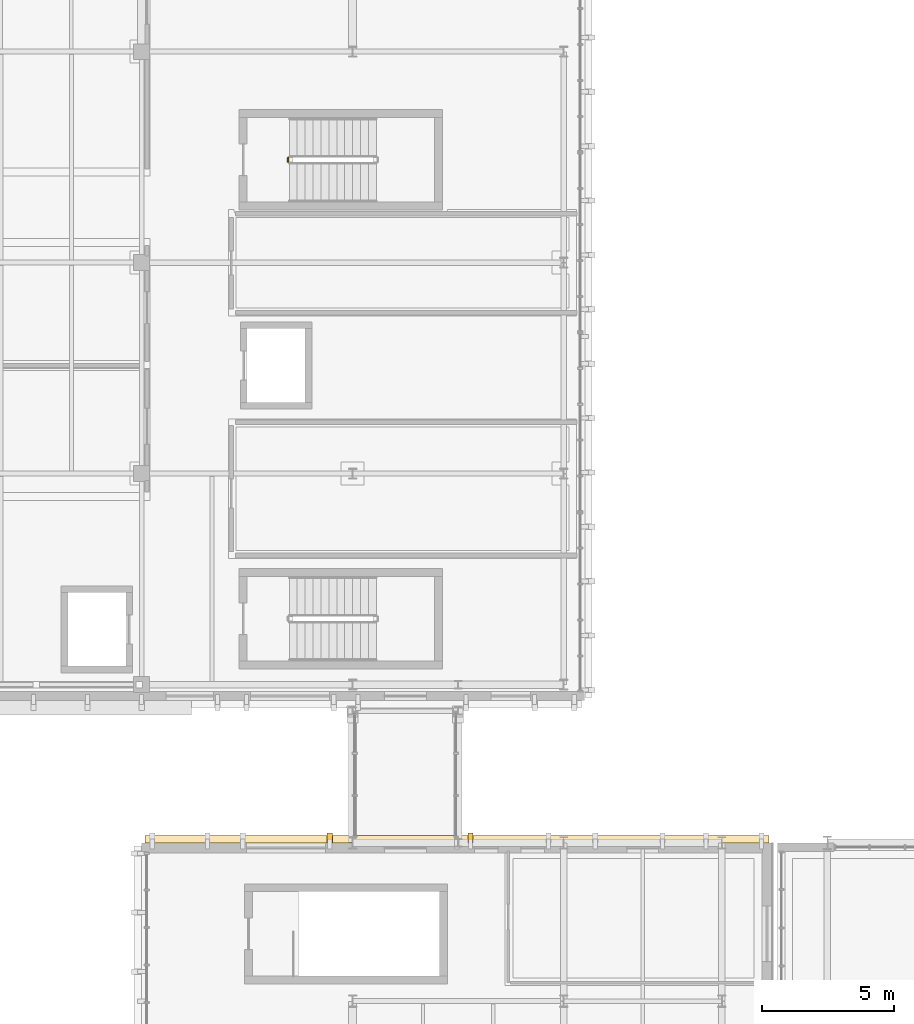
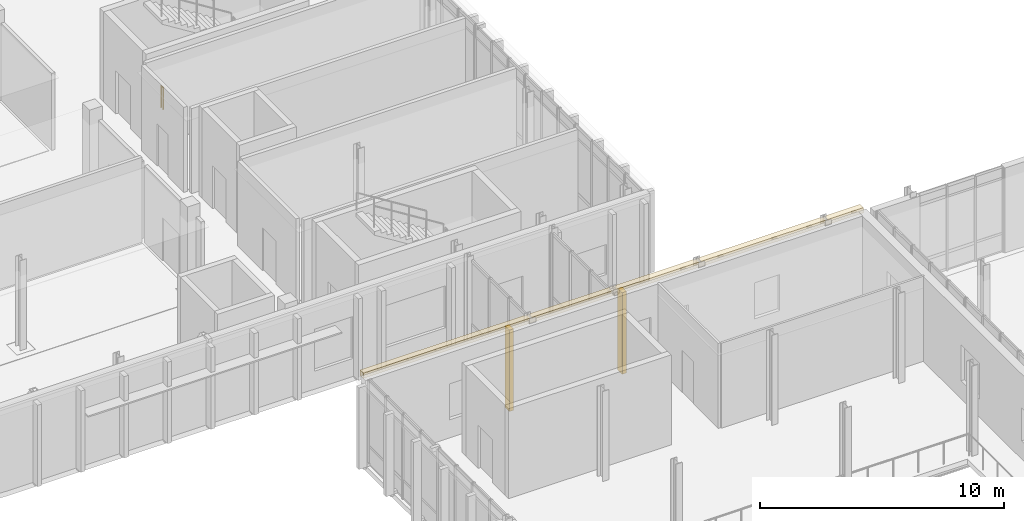
# One storey, part 87 of 100: 3 coverings, 1 railing.
"""IFC4 building model written with IfcOpenShell, lengths in metres."""

from ifc_helpers import new_model, si_unit, direction, frame, origin, origin_2d, place, context, subcontext, project, spatial, rectangle, circle, extrude, material, layer, layer_set, type_object, element, save


model = new_model("IFC4")

# Units and contexts
model_context = context("Model", 3, precision=1e-05, world=origin(), true_north=direction((0.0, 1.0)))
body_context = subcontext(model_context, "Body", "Model", "MODEL_VIEW")
ifc_project = project(units=[si_unit("LENGTHUNIT", "METRE"), si_unit("AREAUNIT", "SQUARE_METRE"), si_unit("VOLUMEUNIT", "CUBIC_METRE"), si_unit("PLANEANGLEUNIT", "RADIAN"), si_unit("MASSUNIT", "GRAM", prefix="KILO")], contexts=[model_context])

# Site, building, storey
site_placement = place(None, origin())
site = spatial("IfcSite", under=ifc_project, at=site_placement, CompositionType="ELEMENT")
building_placement = place(site_placement, origin())
building = spatial("IfcBuilding", under=site, at=building_placement, Name="Cymarion Research Institute", CompositionType="ELEMENT")
storey_placement = place(building_placement, frame((0.0, 0.0, 9.300048828125)))
storey = spatial("IfcBuildingStorey", under=building, at=storey_placement, Name="L02", CompositionType="ELEMENT", Elevation=9.300048828125)

# Railing
ifc_material_1 = material(Name="Steel S355", Category="steel")
railing_type = type_object("IfcRailingType", Name="PAINTED STEEL STAIR GUARDRAIL GR1 1100MM", PredefinedType="GUARDRAIL", material=ifc_material_1)
railing_placement = place(storey_placement, frame((36.14990234375, 67.320068359375, 0.0)))
element("IfcRailing", 1, at=railing_placement, inside=storey, type_object=railing_type, Name="L02 ST8 stair guard 4", PredefinedType="GUARDRAIL", context=body_context, shape_type="SweptSolid", body=[
    extrude(circle(Radius=0.02392578125, at=origin_2d()), frame((0.0, 0.0, 1.076171875), z_axis=(0.0, 1.0, 0.0), x_axis=(-1.0, 0.0, 0.0)), (0.0, 0.0, 1.0), 0.159912109375),
    extrude(circle(Radius=0.02099609375, at=origin_2d()), origin(), (0.0, 0.0, 1.0), 1.052001953125),
    extrude(circle(Radius=0.02099609375, at=origin_2d()), frame((0.0, 0.159912109375, 0.0)), (0.0, 0.0, 1.0), 1.052001953125),
])

# Coverings
ifc_material_2 = material(Name="Precast concrete C45/55 architectural white", Category="concrete")
ifc_layer_1 = layer(ifc_material_2, 0.260009765625)
ifc_layer_set_1 = layer_set([ifc_layer_1], Name="Precast concrete C45/55 architectural white")
covering_type_1 = type_object("IfcCoveringType", Name="SCULPTURAL WHITE PRECAST CONCRETE SPANDREL BROW BAND RIB2 280MM", PredefinedType="CLADDING", material=ifc_layer_set_1)
covering_placement = place(storey_placement, frame((42.550048828125, 41.64208984375, 4.08984375), z_axis=(0.0, 0.0, 1.0), x_axis=(0.0, 1.0, 0.0)))
element("IfcCovering", 2, at=covering_placement, inside=storey, type_object=covering_type_1, Name="L02 V3 precast spandrel brow band RIB2 #468", PredefinedType="CLADDING", context=body_context, shape_type="SweptSolid", body=[
    extrude(rectangle(XDim=0.280029296875, YDim=23.659912109375, at=origin_2d()), origin(), (0.0, 0.0, 1.0), 0.260009765625),
])
ifc_layer_2 = layer(ifc_material_2, 0.199951171875)
ifc_layer_set_2 = layer_set([ifc_layer_2], Name="Precast concrete C45/55 architectural white")
covering_type_2 = type_object("IfcCoveringType", Name="SCULPTURAL WHITE PRECAST CONCRETE VERTICAL RIB RIB1 380X200", PredefinedType="CLADDING", material=ifc_layer_set_2)
for number, where, z_axis, x_axis, name in (
    (3, (43.070068359375, 41.69189453125, 0.009765625), (0.0, 0.0, 1.0), (0.0, 1.0, 0.0), "L02 V3 sculptural precast vertical rib RIB1 #474"),
    (4, (37.72998046875, 41.69189453125, 0.009765625), (0.0, 0.0, 1.0), (0.0, 1.0, 0.0), "L02 V3 sculptural precast vertical rib RIB1 #475"),
):
    element("IfcCovering", number, at=place(storey_placement, frame(where, z_axis=z_axis, x_axis=x_axis)), inside=storey, type_object=covering_type_2, Name=name, PredefinedType="CLADDING", context=body_context, shape_type="SweptSolid", body=[
        extrude(rectangle(XDim=0.3798828125, YDim=0.199951171875, at=origin_2d()), origin(), (0.0, 0.0, 1.0), 4.074951171875),
    ])

save(model, "model.ifc")
